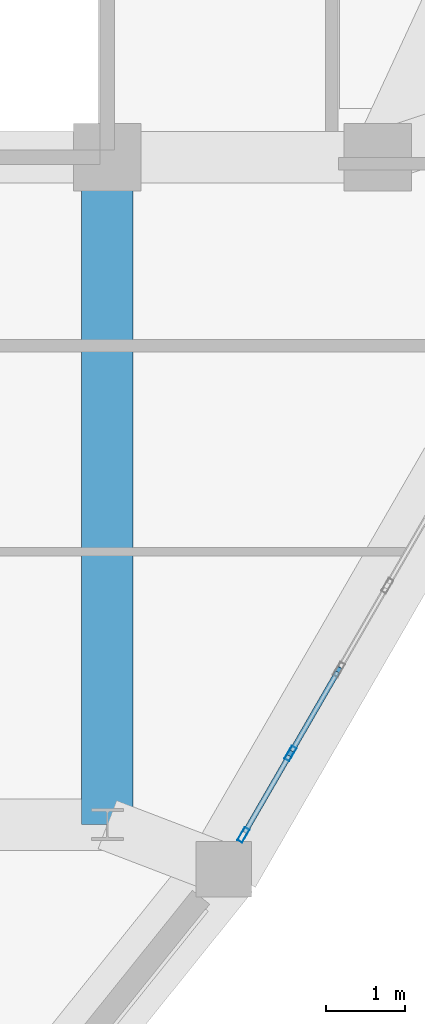
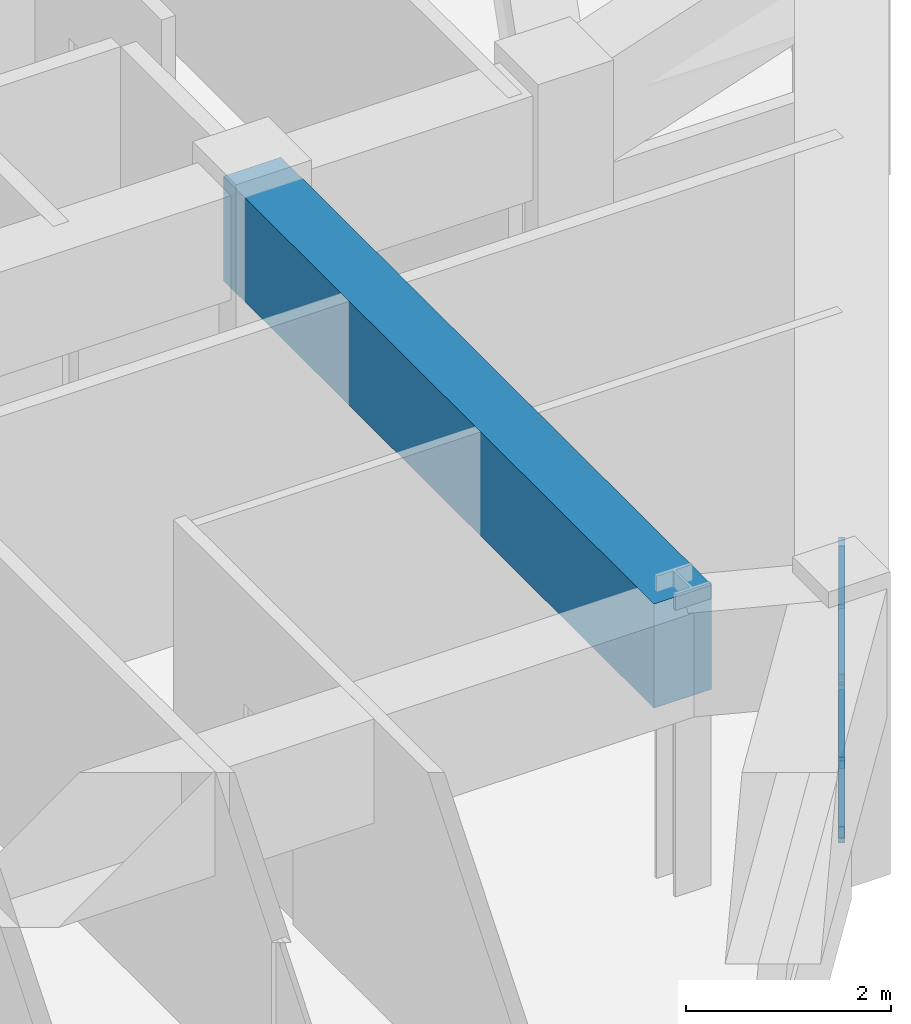
# One storey, part 4 of 14: 7 members, 1 beam, 1 element without a shape of its own.
"""IFC4 building model written with IfcOpenShell, lengths in metres."""

from ifc_helpers import new_model, si_unit, derived_unit, direction, frame, origin, origin_2d, place, context, subcontext, project, spatial, rectangle, hollow_rectangle, extrude, source, transform, mapped, material, layer, layer_set, material_profile, profile_set, type_object, element, aggregate, save


model = new_model("IFC4")

# Units and contexts
model_context = context("Model", 3, precision=1e-05, world=origin(), true_north=direction((0.0, 1.0)))
body_context = subcontext(model_context, "Body", "Model", "MODEL_VIEW")
ifc_project = project(units=[si_unit("LENGTHUNIT", "METRE"), si_unit("AREAUNIT", "SQUARE_METRE"), si_unit("VOLUMEUNIT", "CUBIC_METRE"), si_unit("PLANEANGLEUNIT", "RADIAN"), si_unit("MASSUNIT", "GRAM", prefix="KILO"), derived_unit("THERMALTRANSMITTANCEUNIT", [(si_unit("POWERUNIT", "WATT"), 1), (si_unit("LENGTHUNIT", "METRE"), -2), (si_unit("THERMODYNAMICTEMPERATUREUNIT", "KELVIN"), -1)])], contexts=[model_context])

# Site, building, storey
site_placement = place(None, origin())
site = spatial("IfcSite", under=ifc_project, at=site_placement, CompositionType="ELEMENT")
building_placement = place(site_placement, origin())
building = spatial("IfcBuilding", under=site, at=building_placement, Name="Korsvarv Bourse and Concert Hall", CompositionType="ELEMENT")
storey_placement = place(building_placement, frame((0.0, 0.0, 257.39990234375)))
storey = spatial("IfcBuildingStorey", under=building, at=storey_placement, Name="L67", CompositionType="ELEMENT", Elevation=257.39990234375)

# Beam
ifc_material_1 = material(Name="Concrete C50/60", Category="concrete")
ifc_material_profile_1 = material_profile(ifc_material_1, rectangle(XDim=0.64990234375, YDim=1.239990234375, at=origin_2d()), Name="RC-BM 650x1240")
ifc_profile_set_1 = profile_set([ifc_material_profile_1], Name="Concrete C50/60")
beam_type = type_object("IfcBeamType", Name="BM-TR-SPN", PredefinedType="BEAM", material=ifc_profile_set_1)
shared_shape_1 = source(origin(), body_context, "Body", "SweptSolid", [
    extrude(rectangle(XDim=0.64990234375, YDim=1.239990234375, at=origin_2d()), origin(), (0.0, 0.0, 1.0), 8.39990234375),
])
beam_placement = place(storey_placement, frame((44.39990234375, 24.0, 2.7900390625), z_axis=(0.0, 1.0, 0.0), x_axis=(-1.0, 0.0, 0.0)))
element("IfcBeam", 1, at=beam_placement, inside=storey, type_object=beam_type, Name="L67 beam B-TRS", PredefinedType="BEAM", context=body_context, shape_type="MappedRepresentation", body=[
    mapped(shared_shape_1, transform((0.0, 0.0, 0.0), scale=1.0)),
])

# Curtain wall, members
ifc_material_2 = material(Name="Anodised aluminium and triple low-E glazing", Category="glass")
ifc_layer = layer(ifc_material_2, 0.199951171875)
ifc_layer_set = layer_set([ifc_layer], Name="Anodised aluminium and triple low-E glazing")
curtain_wall_type = type_object("IfcCurtainWallType", Name="CW-SYS-3", PredefinedType="NOTDEFINED", material=ifc_layer_set)
curtain_wall_placement = place(storey_placement, origin())
curtain_wall = element("IfcCurtainWall", 2, at=curtain_wall_placement, inside=storey, type_object=curtain_wall_type, Name="L67 CW3 curtain wall CW-L67-F11", PredefinedType="NOTDEFINED")
ifc_material_3 = material(Name="Extruded aluminium EN AW-6063 T66", Category="aluminium")
ifc_material_profile_2 = material_profile(ifc_material_3, hollow_rectangle(XDim=0.06494140625, YDim=0.139892578125, WallThickness=0.00390625, at=origin_2d()), Name="ALU-T 65x140")
ifc_profile_set_2 = profile_set([ifc_material_profile_2], Name="Extruded aluminium EN AW-6063 T66")
member_type_1 = type_object("IfcMemberType", Name="CWT-140", PredefinedType="USERDEFINED", material=ifc_profile_set_2)
shared_shape_2 = source(origin(), body_context, "Body", "SweptSolid", [
    extrude(hollow_rectangle(XDim=0.06494140625, YDim=0.139892578125, WallThickness=0.00390625, at=origin_2d()), origin(), (0.0, 0.0, 1.0), 1.113525390625),
])
member_1_placement = place(storey_placement, frame((46.1298828125, 23.900146484375, 0.03271484375), z_axis=(0.500076692731, 0.865981120687, 0.0), x_axis=(-0.865981120687, 0.500076692731, 0.0)))
member_1 = element("IfcMember", 3, at=member_1_placement, type_object=member_type_1, Name="CW3 transom 1.1", ObjectType="TRANSOM", PredefinedType="USERDEFINED", context=body_context, shape_type="MappedRepresentation", body=[
    mapped(shared_shape_2, transform((0.0, 0.0, 0.0), scale=1.0)),
])
member_2_placement = place(storey_placement, frame((46.1298828125, 23.900146484375, 1.84765625), z_axis=(0.500076692731, 0.865981120687, 0.0), x_axis=(-0.865981120687, 0.500076692731, 0.0)))
member_2 = element("IfcMember", 4, at=member_2_placement, type_object=member_type_1, Name="CW3 transom 1.2", ObjectType="TRANSOM", PredefinedType="USERDEFINED", context=body_context, shape_type="MappedRepresentation", body=[
    mapped(shared_shape_2, transform((0.0, 0.0, 0.0), scale=1.0)),
])
shared_shape_3 = source(origin(), body_context, "Body", "SweptSolid", [
    extrude(hollow_rectangle(XDim=0.06494140625, YDim=0.139892578125, WallThickness=0.00390625, at=origin_2d()), origin(), (0.0, 0.0, 1.0), 1.148681640625),
])
member_3_placement = place(storey_placement, frame((46.7216796875, 24.92529296875, 0.03271484375), z_axis=(0.500139482584, 0.865944858499, 0.0), x_axis=(-0.865944858499, 0.500139482584, 0.0)))
member_3 = element("IfcMember", 5, at=member_3_placement, type_object=member_type_1, Name="CW3 transom 2.1", ObjectType="TRANSOM", PredefinedType="USERDEFINED", context=body_context, shape_type="MappedRepresentation", body=[
    mapped(shared_shape_3, transform((0.0, 0.0, 0.0), scale=1.0)),
])
member_4_placement = place(storey_placement, frame((46.7216796875, 24.92529296875, 1.84765625), z_axis=(0.500139482584, 0.865944858499, 0.0), x_axis=(-0.865944858499, 0.500139482584, 0.0)))
member_4 = element("IfcMember", 6, at=member_4_placement, type_object=member_type_1, Name="CW3 transom 2.2", ObjectType="TRANSOM", PredefinedType="USERDEFINED", context=body_context, shape_type="MappedRepresentation", body=[
    mapped(shared_shape_3, transform((0.0, 0.0, 0.0), scale=1.0)),
])
ifc_material_profile_3 = material_profile(ifc_material_3, hollow_rectangle(XDim=0.070068359375, YDim=0.18994140625, WallThickness=0.0048828125, at=origin_2d()), Name="ALU-M 70x190")
ifc_profile_set_3 = profile_set([ifc_material_profile_3], Name="Extruded aluminium EN AW-6063 T66")
member_type_2 = type_object("IfcMemberType", Name="CWM-190", PredefinedType="MULLION", material=ifc_profile_set_3)
shared_shape_4 = source(origin(), body_context, "Body", "SweptSolid", [
    extrude(hollow_rectangle(XDim=0.070068359375, YDim=0.18994140625, WallThickness=0.0048828125, at=origin_2d()), origin(), (0.0, 0.0, 1.0), 1.880126953125),
])
member_5_placement = place(storey_placement, frame((46.1123046875, 23.869873046875, 0.0), z_axis=(0.0, 0.0, 1.0), x_axis=(-0.866023274265, 0.500003688417, 0.0)))
member_5 = element("IfcMember", 7, at=member_5_placement, type_object=member_type_2, Name="CW3 mullion 1", PredefinedType="MULLION", context=body_context, shape_type="MappedRepresentation", body=[
    mapped(shared_shape_4, transform((0.0, 0.0, 0.0), scale=1.0)),
])
member_6_placement = place(storey_placement, frame((46.7041015625, 24.894775390625, 0.0), z_axis=(0.0, 0.0, 1.0), x_axis=(-0.866023274265, 0.500003688417, 0.0)))
member_6 = element("IfcMember", 8, at=member_6_placement, type_object=member_type_2, Name="CW3 mullion 2", PredefinedType="MULLION", context=body_context, shape_type="MappedRepresentation", body=[
    mapped(shared_shape_4, transform((0.0, 0.0, 0.0), scale=1.0)),
])
ifc_material_profile_4 = material_profile(ifc_material_3, hollow_rectangle(XDim=0.06494140625, YDim=0.1650390625, WallThickness=0.0048828125, at=origin_2d()), Name="ALU-M 65x165")
ifc_profile_set_4 = profile_set([ifc_material_profile_4], Name="Extruded aluminium EN AW-6063 T66")
member_type_3 = type_object("IfcMemberType", Name="CWM-165", PredefinedType="MULLION", material=ifc_profile_set_4)
shared_shape_5 = source(origin(), body_context, "Body", "SweptSolid", [
    extrude(hollow_rectangle(XDim=0.06494140625, YDim=0.1650390625, WallThickness=0.0048828125, at=origin_2d()), origin(), (0.0, 0.0, 1.0), 2.09326171875),
])
member_7_placement = place(storey_placement, frame((46.7216796875, 24.92529296875, 0.065185546875), z_axis=(0.274432781536, 0.475154760722, 0.836011125394), x_axis=(-0.865944858499, 0.500139482584, 0.0)))
member_7 = element("IfcMember", 9, at=member_7_placement, type_object=member_type_3, Name="CW3 diagonal mullion 2", PredefinedType="MULLION", context=body_context, shape_type="MappedRepresentation", body=[
    mapped(shared_shape_5, transform((0.0, 0.0, 0.0), scale=1.0)),
])
aggregate(curtain_wall, [member_5, member_6, member_1, member_2, member_3, member_4, member_7])

save(model, "model.ifc")
